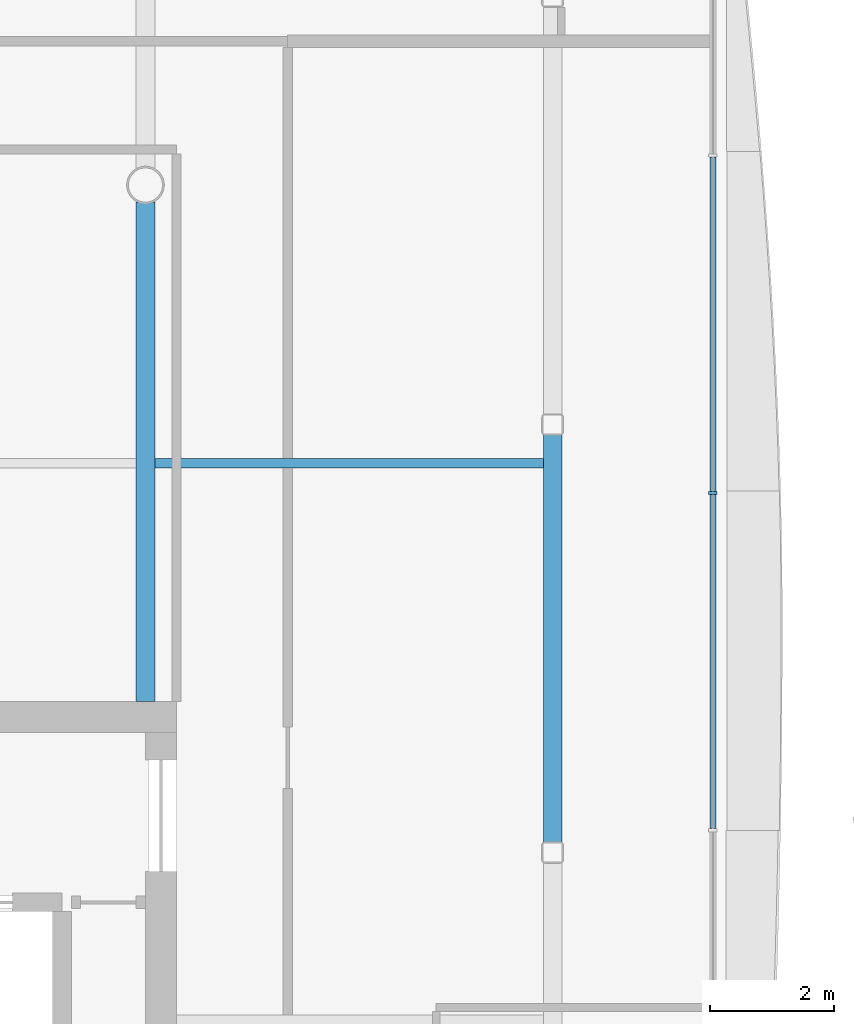
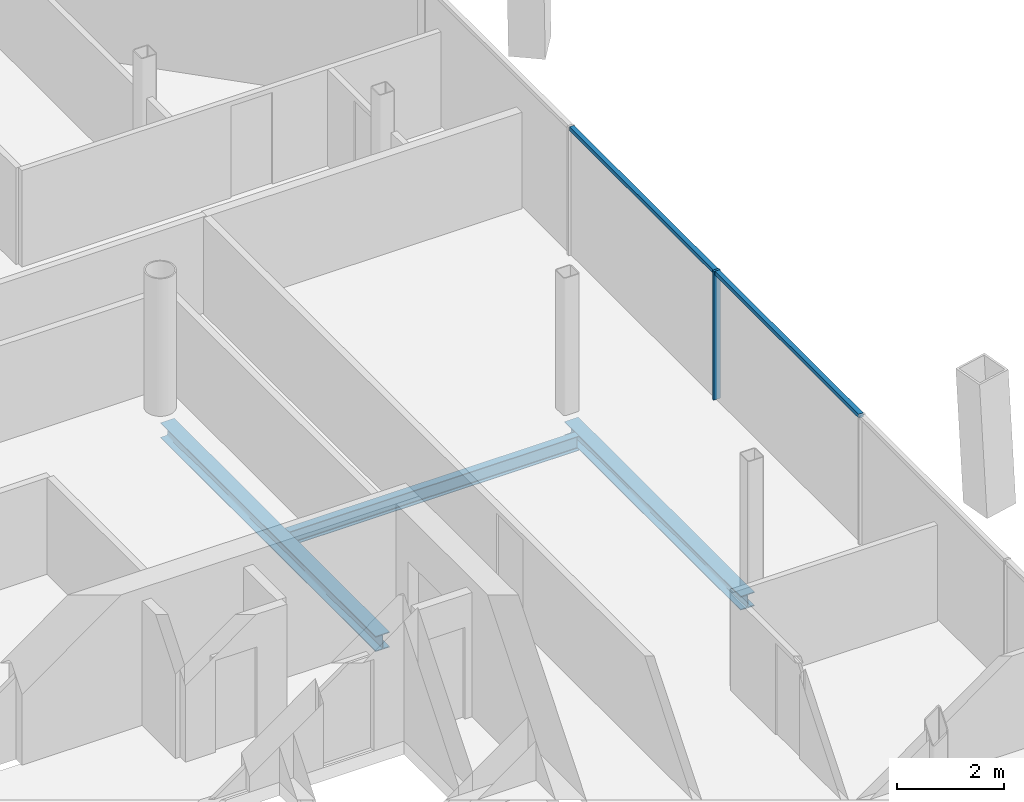
# One storey, part 9 of 20: 3 beams, 3 members, 1 element without a shape of its own.
"""IFC4 building model written with IfcOpenShell, lengths in metres."""

from ifc_helpers import new_model, si_unit, direction, frame, origin, origin_2d, place, context, subcontext, project, spatial, rectangle, i_section, extrude, material, material_profile, profile_set, type_object, element, aggregate, save


model = new_model("IFC4")

# Units and contexts
model_context = context("Model", 3, precision=1e-05, world=origin(), true_north=direction((0.0, 1.0)))
body_context = subcontext(model_context, "Body", "Model", "MODEL_VIEW")
ifc_project = project(units=[si_unit("LENGTHUNIT", "METRE"), si_unit("AREAUNIT", "SQUARE_METRE"), si_unit("VOLUMEUNIT", "CUBIC_METRE"), si_unit("PLANEANGLEUNIT", "RADIAN"), si_unit("MASSUNIT", "GRAM", prefix="KILO")], contexts=[model_context])

# Site, building, storey
site_placement = place(None, origin())
site = spatial("IfcSite", under=ifc_project, at=site_placement, CompositionType="ELEMENT")
building_placement = place(site_placement, origin())
building = spatial("IfcBuilding", under=site, at=building_placement, Name="Tskaro Facet Tower", CompositionType="ELEMENT")
storey_placement = place(building_placement, frame((0.0, 0.0, 178.5)))
storey = spatial("IfcBuildingStorey", under=building, at=storey_placement, Name="L44", CompositionType="ELEMENT", Elevation=178.5)

# Curtain wall, members
ifc_material_1 = material(Name="Bronze anodised aluminium 6063-T6", Category="aluminium")
curtain_wall_type = type_object("IfcCurtainWallType", Name="Bronze residence curtain wall (FW3)", PredefinedType="NOTDEFINED", material=ifc_material_1)
curtain_wall_placement = place(storey_placement, origin())
curtain_wall = element("IfcCurtainWall", 1, at=curtain_wall_placement, inside=storey, type_object=curtain_wall_type, Name="FW3 east facet L44", PredefinedType="NOTDEFINED")
ifc_material_profile_1 = material_profile(ifc_material_1, rectangle(XDim=0.050048828125, YDim=0.139892578125, at=origin_2d()), Name="Mullion 50x140")
ifc_profile_set_1 = profile_set([ifc_material_profile_1], Name="Bronze anodised aluminium 6063-T6")
member_type_1 = type_object("IfcMemberType", Name="FW3 bronze mullion 50x140", PredefinedType="MULLION", material=ifc_profile_set_1)
member_1_placement = place(storey_placement, frame((18.176025390625, 4.020751953125, 0.0), z_axis=(0.0, 0.0, 1.0), x_axis=(0.0, 1.0, 0.0)))
member_1 = element("IfcMember", 2, at=member_1_placement, type_object=member_type_1, Name="FW3 east mullion 4", PredefinedType="MULLION", context=body_context, shape_type="SweptSolid", body=[
    extrude(rectangle(XDim=0.050048828125, YDim=0.139892578125, at=origin_2d()), origin(), (0.0, 0.0, 1.0), 2.949951171875),
])
ifc_material_profile_2 = material_profile(ifc_material_1, rectangle(XDim=0.10009765625, YDim=0.090087890625, at=origin_2d()), Name="Transom 100x90")
ifc_profile_set_2 = profile_set([ifc_material_profile_2], Name="Bronze anodised aluminium 6063-T6")
member_type_2 = type_object("IfcMemberType", Name="FW3 bronze transom 100x90", PredefinedType="USERDEFINED", material=ifc_profile_set_2)
member_2_placement = place(storey_placement, frame((18.176025390625, -1.409423828125, 2.905029296875), z_axis=(0.0, 1.0, 0.0), x_axis=(-1.0, 0.0, 0.0)))
member_2 = element("IfcMember", 3, at=member_2_placement, type_object=member_type_2, Name="FW3 east transom 4.1", ObjectType="TRANSOM", PredefinedType="USERDEFINED", context=body_context, shape_type="SweptSolid", body=[
    extrude(rectangle(XDim=0.10009765625, YDim=0.090087890625, at=origin_2d()), origin(), (0.0, 0.0, 1.0), 5.405029296875),
])
member_3_placement = place(storey_placement, frame((18.176025390625, 4.045654296875, 2.905029296875), z_axis=(0.0, 1.0, 0.0), x_axis=(-1.0, 0.0, 0.0)))
member_3 = element("IfcMember", 4, at=member_3_placement, type_object=member_type_2, Name="FW3 east transom 5.1", ObjectType="TRANSOM", PredefinedType="USERDEFINED", context=body_context, shape_type="SweptSolid", body=[
    extrude(rectangle(XDim=0.10009765625, YDim=0.090087890625, at=origin_2d()), origin(), (0.0, 0.0, 1.0), 5.4052734375),
])
aggregate(curtain_wall, [member_1, member_2, member_3])

# Beams
ifc_material_2 = material(Name="Steel S355J2", Category="steel")
ifc_material_profile_3 = material_profile(ifc_material_2, i_section(OverallWidth=0.300048828125, OverallDepth=0.320068359375, WebThickness=0.011474609375, FlangeThickness=0.0205078125, FilletRadius=0.027099609375, at=origin_2d()), Name="HE 320 B")
ifc_profile_set_3 = profile_set([ifc_material_profile_3], Name="Steel S355J2")
beam_type_1 = type_object("IfcBeamType", Name="HE 320 B ring beam", PredefinedType="BEAM", material=ifc_profile_set_3)
beam_1_placement = place(storey_placement, frame((15.5830078125, -1.637939453125, -0.300048828125), z_axis=(0.0, 1.0, 0.0), x_axis=(-1.0, 0.0, 0.0)))
element("IfcBeam", 5, at=beam_1_placement, inside=storey, type_object=beam_type_1, Name="HE 320 B EB8-4", PredefinedType="BEAM", context=body_context, shape_type="SweptSolid", body=[
    extrude(i_section(OverallWidth=0.300048828125, OverallDepth=0.320068359375, WebThickness=0.011474609375, FlangeThickness=0.0205078125, FilletRadius=0.027099609375, at=origin_2d()), origin(), (0.0, 0.0, 1.0), 6.60888671875),
])
ifc_material_profile_4 = material_profile(ifc_material_2, i_section(OverallWidth=0.300048828125, OverallDepth=0.35009765625, WebThickness=0.010009765625, FlangeThickness=0.017578125, FilletRadius=0.027099609375, at=origin_2d()), Name="HE 360 A")
ifc_profile_set_4 = profile_set([ifc_material_profile_4], Name="Steel S355J2")
beam_type_2 = type_object("IfcBeamType", Name="HE 360 A girder", PredefinedType="BEAM", material=ifc_profile_set_4)
beam_2_placement = place(storey_placement, frame((9.0, 0.64990234375, -0.31494140625), z_axis=(0.0, 1.0, 0.0), x_axis=(-1.0, 0.0, 0.0)))
element("IfcBeam", 6, at=beam_2_placement, inside=storey, type_object=beam_type_2, Name="HE 360 A GB5-2-4", PredefinedType="BEAM", context=body_context, shape_type="SweptSolid", body=[
    extrude(i_section(OverallWidth=0.300048828125, OverallDepth=0.35009765625, WebThickness=0.010009765625, FlangeThickness=0.017578125, FilletRadius=0.027099609375, at=origin_2d()), origin(), (0.0, 0.0, 1.0), 8.0751953125),
])
ifc_material_profile_5 = material_profile(ifc_material_2, i_section(OverallWidth=0.159912109375, OverallDepth=0.330078125, WebThickness=0.007568359375, FlangeThickness=0.011474609375, FilletRadius=0.01806640625, at=origin_2d()), Name="IPE 330")
ifc_profile_set_5 = profile_set([ifc_material_profile_5], Name="Steel S355J2")
beam_type_3 = type_object("IfcBeamType", Name="IPE 330 secondary beam", PredefinedType="BEAM", material=ifc_profile_set_5)
beam_3_placement = place(storey_placement, frame((9.14990234375, 4.5, -0.304931640625), z_axis=(1.0, 0.0, 0.0), x_axis=(0.0, 1.0, 0.0)))
element("IfcBeam", 7, at=beam_3_placement, inside=storey, type_object=beam_type_3, Name="IPE 330 SB4a-5-4", PredefinedType="BEAM", context=body_context, shape_type="SweptSolid", body=[
    extrude(i_section(OverallWidth=0.159912109375, OverallDepth=0.330078125, WebThickness=0.007568359375, FlangeThickness=0.011474609375, FilletRadius=0.01806640625, at=origin_2d()), origin(), (0.0, 0.0, 1.0), 6.283203125),
])

save(model, "model.ifc")
